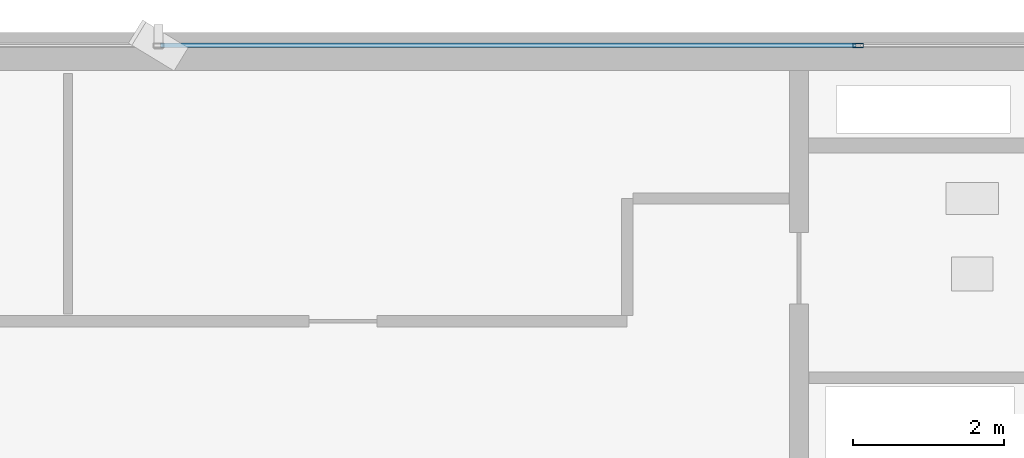
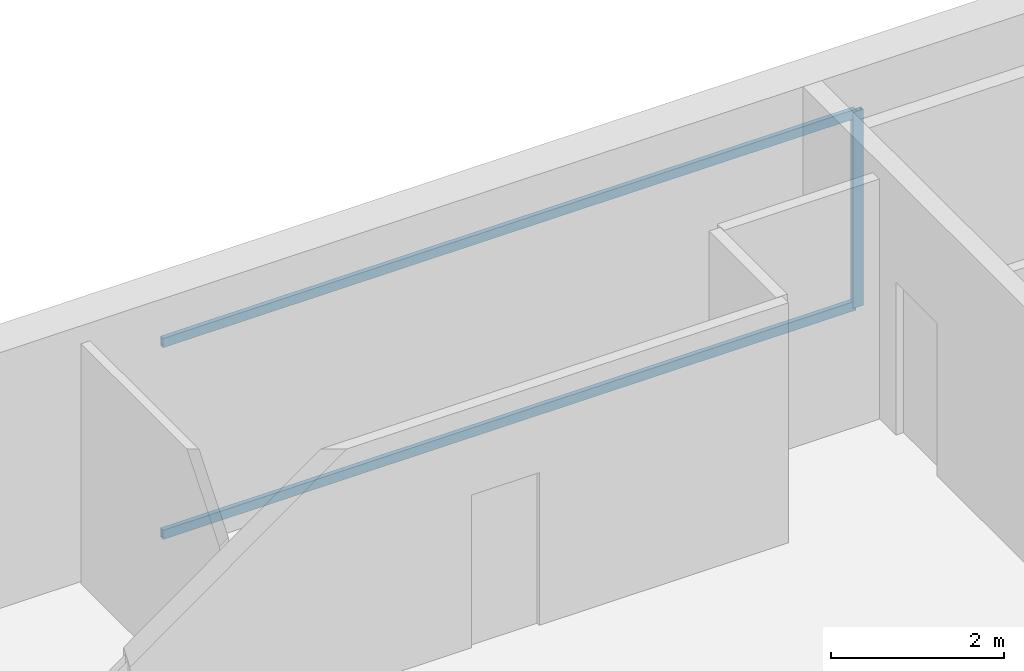
# One storey, part 21 of 30: 3 members, 1 element without a shape of its own.
"""IFC4 building model written with IfcOpenShell, lengths in metres."""

from ifc_helpers import new_model, si_unit, direction, frame, origin, origin_2d, place, context, subcontext, project, spatial, hollow_rectangle, extrude, source, transform, mapped, material, layer, layer_set, material_profile, profile_set, type_object, element, aggregate, save


model = new_model("IFC4")

# Units and contexts
model_context = context("Model", 3, precision=1e-05, world=origin(), true_north=direction((0.0, 1.0)))
body_context = subcontext(model_context, "Body", "Model", "MODEL_VIEW")
ifc_project = project(units=[si_unit("LENGTHUNIT", "METRE"), si_unit("AREAUNIT", "SQUARE_METRE"), si_unit("VOLUMEUNIT", "CUBIC_METRE"), si_unit("PLANEANGLEUNIT", "RADIAN"), si_unit("MASSUNIT", "GRAM", prefix="KILO")], contexts=[model_context])

# Site, building, storey
site_placement = place(None, origin())
site = spatial("IfcSite", under=ifc_project, at=site_placement, CompositionType="ELEMENT")
building_placement = place(site_placement, origin())
building = spatial("IfcBuilding", under=site, at=building_placement, Name="Sumidabori Civic Tower", CompositionType="ELEMENT")
storey_placement = place(building_placement, frame((0.0, 0.0, 196.39990234375)))
storey = spatial("IfcBuildingStorey", under=building, at=storey_placement, Name="L50", CompositionType="ELEMENT", Elevation=196.39990234375)

# Curtain wall, members
ifc_material = material(Name="Anodised Bronze Aluminium AW-6063-T6", Category="aluminium")
ifc_layer = layer(ifc_material, 0.179931640625, Name="Anodised Bronze Aluminium AW-6063-T6")
ifc_layer_set = layer_set([ifc_layer], Name="Anodised Bronze Aluminium AW-6063-T6")
curtain_wall_type = type_object("IfcCurtainWallType", Name="CW-SYS-5", PredefinedType="NOTDEFINED", material=ifc_layer_set)
curtain_wall_placement = place(storey_placement, origin())
curtain_wall = element("IfcCurtainWall", 1, at=curtain_wall_placement, inside=storey, type_object=curtain_wall_type, Name="Curtain Wall CW:L50:R13", PredefinedType="NOTDEFINED")
ifc_material_profile_1 = material_profile(ifc_material, hollow_rectangle(XDim=0.06005859375, YDim=0.139892578125, WallThickness=0.0048828125, at=origin_2d()), Name="ALU MULLION 140x60")
ifc_profile_set_1 = profile_set([ifc_material_profile_1], Name="Anodised Bronze Aluminium AW-6063-T6")
member_type_1 = type_object("IfcMemberType", Name="CW-MUL-140", PredefinedType="MULLION", material=ifc_profile_set_1)
shared_shape_1 = source(origin(), body_context, "Body", "SweptSolid", [
    extrude(hollow_rectangle(XDim=0.06005859375, YDim=0.139892578125, WallThickness=0.0048828125, at=origin_2d()), origin(), (0.0, 0.0, 1.0), 2.760009765625),
])
member_1_placement = place(storey_placement, frame((9.284912109375, 23.8798828125, 0.0), z_axis=(0.0, 0.0, 1.0), x_axis=(0.0, -1.0, 0.0)))
member_1 = element("IfcMember", 2, at=member_1_placement, type_object=member_type_1, Name="CW-5 mullion 2", PredefinedType="MULLION", context=body_context, shape_type="MappedRepresentation", body=[
    mapped(shared_shape_1, transform((0.0, 0.0, 0.0), x_axis=(1.0, 0.0, 0.0), y_axis=(0.0, 1.0, 0.0), z_axis=(0.0, 0.0, 1.0), scale=1.0)),
])
ifc_material_profile_2 = material_profile(ifc_material, hollow_rectangle(XDim=0.06005859375, YDim=0.1298828125, WallThickness=0.0048828125, at=origin_2d()), Name="ALU TRANSOM 130x60")
ifc_profile_set_2 = profile_set([ifc_material_profile_2], Name="Anodised Bronze Aluminium AW-6063-T6")
member_type_2 = type_object("IfcMemberType", Name="CW-TRN-130", PredefinedType="USERDEFINED", material=ifc_profile_set_2)
shared_shape_2 = source(origin(), body_context, "Body", "SweptSolid", [
    extrude(hollow_rectangle(XDim=0.06005859375, YDim=0.1298828125, WallThickness=0.0048828125, at=origin_2d()), origin(), (0.0, 0.0, 1.0), 9.224853515625),
])
member_2_placement = place(storey_placement, frame((9.2548828125, 23.8798828125, 0.030029296875), z_axis=(-1.0, 0.0, 0.0), x_axis=(0.0, -1.0, 0.0)))
member_2 = element("IfcMember", 3, at=member_2_placement, type_object=member_type_2, Name="CW-5 transom 2.1", ObjectType="TRANSOM", PredefinedType="USERDEFINED", context=body_context, shape_type="MappedRepresentation", body=[
    mapped(shared_shape_2, transform((0.0, 0.0, 0.0), x_axis=(1.0, 0.0, 0.0), y_axis=(0.0, 1.0, 0.0), z_axis=(0.0, 0.0, 1.0), scale=1.0)),
])
member_3_placement = place(storey_placement, frame((9.2548828125, 23.8798828125, 2.72998046875), z_axis=(-1.0, 0.0, 0.0), x_axis=(0.0, -1.0, 0.0)))
member_3 = element("IfcMember", 4, at=member_3_placement, type_object=member_type_2, Name="CW-5 transom 2.2", ObjectType="TRANSOM", PredefinedType="USERDEFINED", context=body_context, shape_type="MappedRepresentation", body=[
    mapped(shared_shape_2, transform((0.0, 0.0, 0.0), x_axis=(1.0, 0.0, 0.0), y_axis=(0.0, 1.0, 0.0), z_axis=(0.0, 0.0, 1.0), scale=1.0)),
])
aggregate(curtain_wall, [member_1, member_2, member_3])

save(model, "model.ifc")
